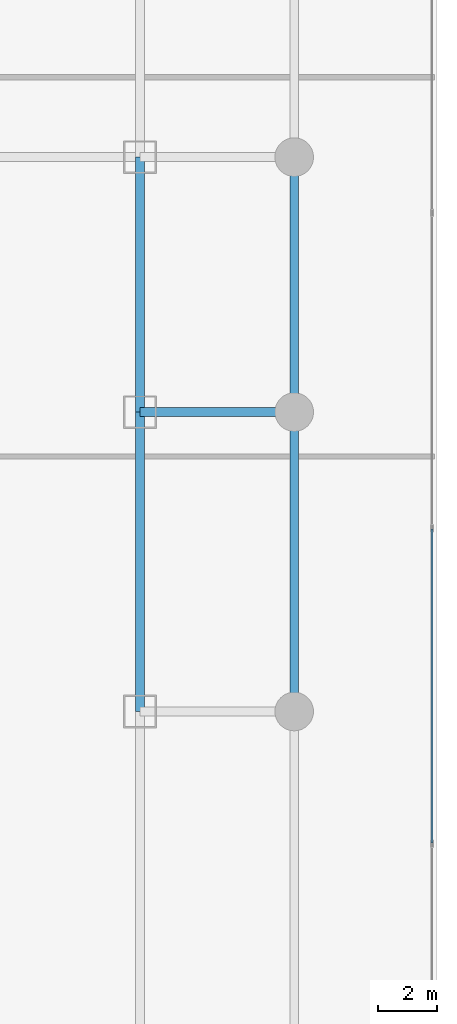
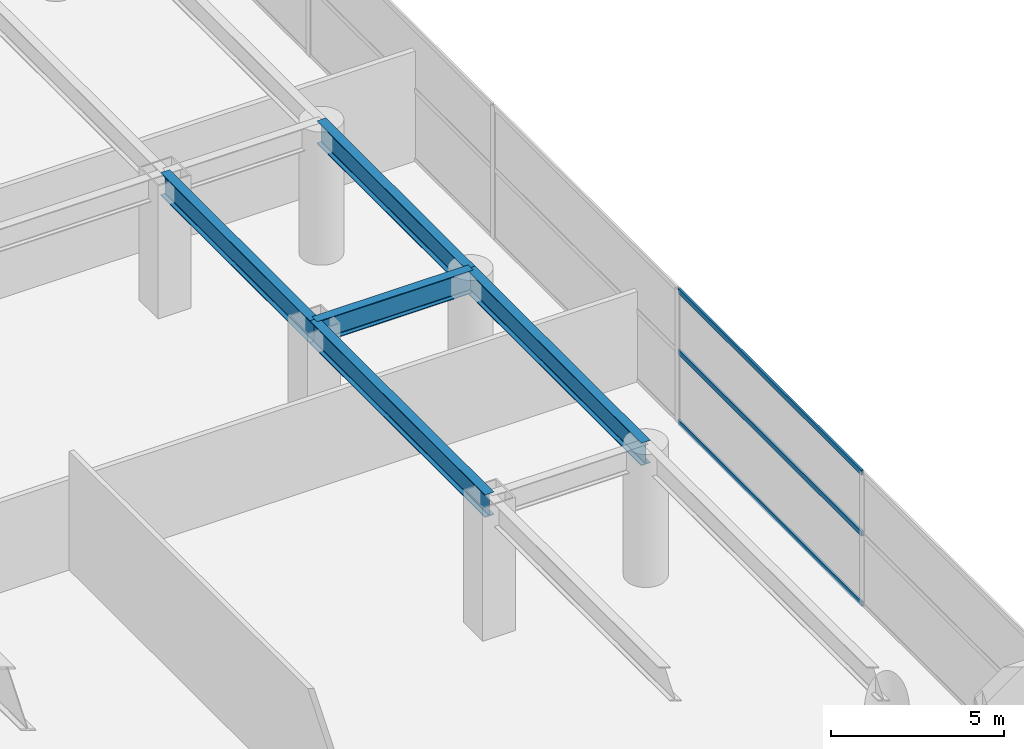
# One storey, part 23 of 35: 5 beams, 3 members, 1 element without a shape of its own.
"""IFC4 building model written with IfcOpenShell, lengths in metres."""

from ifc_helpers import new_model, si_unit, direction, frame, origin, origin_2d, place, context, subcontext, project, spatial, hollow_rectangle, i_section, extrude, material, layer, layer_set, material_profile, profile_set, type_object, element, aggregate, save


model = new_model("IFC4")

# Units and contexts
model_context = context("Model", 3, precision=1e-05, world=origin(), true_north=direction((0.0, 1.0)))
body_context = subcontext(model_context, "Body", "Model", "MODEL_VIEW")
ifc_project = project(units=[si_unit("LENGTHUNIT", "METRE"), si_unit("AREAUNIT", "SQUARE_METRE"), si_unit("VOLUMEUNIT", "CUBIC_METRE"), si_unit("PLANEANGLEUNIT", "RADIAN"), si_unit("MASSUNIT", "GRAM", prefix="KILO")], contexts=[model_context])

# Site, building, storey
site_placement = place(None, origin())
site = spatial("IfcSite", under=ifc_project, at=site_placement, CompositionType="ELEMENT")
building_placement = place(site_placement, origin())
building = spatial("IfcBuilding", under=site, at=building_placement, Name="Calvorn Quay Hotel", CompositionType="ELEMENT")
storey_placement = place(building_placement, frame((0.0, 0.0, 12.0)))
storey = spatial("IfcBuildingStorey", under=building, at=storey_placement, Name="L02", CompositionType="ELEMENT", Elevation=12.0)

# Beams
ifc_material_1 = material(Name="Steel Q390GJC", Category="steel")
ifc_material_profile_1 = material_profile(ifc_material_1, i_section(OverallWidth=0.300048828125, OverallDepth=0.800048828125, WebThickness=0.013916015625, FlangeThickness=0.02587890625, FilletRadius=0.02392578125, at=origin_2d()), Name="HN800x300x14x26")
ifc_profile_set_1 = profile_set([ifc_material_profile_1], Name="Steel Q390GJC")
beam_type = type_object("IfcBeamType", Name="BM-GIRD-POD", PredefinedType="BEAM", material=ifc_profile_set_1)
beam_1_placement = place(storey_placement, frame((74.0, 17.5, 4.280029296875), z_axis=(0.0, 1.0, 0.0), x_axis=(-1.0, 0.0, 0.0)))
element("IfcBeam", 1, at=beam_1_placement, inside=storey, type_object=beam_type, Name="Beam BG-L02-PE2", PredefinedType="BEAM", context=body_context, shape_type="SweptSolid", body=[
    extrude(i_section(OverallWidth=0.300048828125, OverallDepth=0.800048828125, WebThickness=0.013916015625, FlangeThickness=0.02587890625, FilletRadius=0.02392578125, at=origin_2d()), origin(), (0.0, 0.0, 1.0), 10.10009765625),
])
beam_2_placement = place(storey_placement, frame((74.0, 27.60009765625, 4.280029296875), z_axis=(0.0, 1.0, 0.0), x_axis=(-1.0, 0.0, 0.0)))
element("IfcBeam", 2, at=beam_2_placement, inside=storey, type_object=beam_type, Name="Beam BG-L02-PE3", PredefinedType="BEAM", context=body_context, shape_type="SweptSolid", body=[
    extrude(i_section(OverallWidth=0.300048828125, OverallDepth=0.800048828125, WebThickness=0.013916015625, FlangeThickness=0.02587890625, FilletRadius=0.02392578125, at=origin_2d()), origin(), (0.0, 0.0, 1.0), 8.599853515625),
])
beam_3_placement = place(storey_placement, frame((79.199951171875, 17.5, 4.280029296875), z_axis=(0.0, 1.0, 0.0), x_axis=(-1.0, 0.0, 0.0)))
element("IfcBeam", 3, at=beam_3_placement, inside=storey, type_object=beam_type, Name="Beam BSP-L02-Q2", PredefinedType="BEAM", context=body_context, shape_type="SweptSolid", body=[
    extrude(i_section(OverallWidth=0.300048828125, OverallDepth=0.800048828125, WebThickness=0.013916015625, FlangeThickness=0.02587890625, FilletRadius=0.02392578125, at=origin_2d()), origin(), (0.0, 0.0, 1.0), 10.10009765625),
])
beam_4_placement = place(storey_placement, frame((79.199951171875, 27.60009765625, 4.280029296875), z_axis=(0.0, 1.0, 0.0), x_axis=(-1.0, 0.0, 0.0)))
element("IfcBeam", 4, at=beam_4_placement, inside=storey, type_object=beam_type, Name="Beam BSP-L02-Q3", PredefinedType="BEAM", context=body_context, shape_type="SweptSolid", body=[
    extrude(i_section(OverallWidth=0.300048828125, OverallDepth=0.800048828125, WebThickness=0.013916015625, FlangeThickness=0.02587890625, FilletRadius=0.02392578125, at=origin_2d()), origin(), (0.0, 0.0, 1.0), 8.599853515625),
])
beam_5_placement = place(storey_placement, frame((74.0, 27.60009765625, 4.280029296875), z_axis=(1.0, 0.0, 0.0), x_axis=(0.0, 1.0, 0.0)))
element("IfcBeam", 5, at=beam_5_placement, inside=storey, type_object=beam_type, Name="Beam BG-L02-EQ3", PredefinedType="BEAM", context=body_context, shape_type="SweptSolid", body=[
    extrude(i_section(OverallWidth=0.300048828125, OverallDepth=0.800048828125, WebThickness=0.013916015625, FlangeThickness=0.02587890625, FilletRadius=0.02392578125, at=origin_2d()), origin(), (0.0, 0.0, 1.0), 5.199951171875),
])

# Curtain wall, members
ifc_material_2 = material(Name="Pale Anodised Aluminium and Low-E Glass", Category="aluminium")
ifc_layer = layer(ifc_material_2, 0.219970703125)
ifc_layer_set = layer_set([ifc_layer], Name="CW-SYS-POD")
curtain_wall_type = type_object("IfcCurtainWallType", Name="CW-SYS-POD", PredefinedType="NOTDEFINED", material=ifc_layer_set)
curtain_wall_placement = place(storey_placement, origin())
curtain_wall = element("IfcCurtainWall", 6, at=curtain_wall_placement, inside=storey, type_object=curtain_wall_type, Name="Podium Curtain Wall L02-E1", PredefinedType="NOTDEFINED")
ifc_material_3 = material(Name="Pale Anodised Aluminium 6063-T6", Category="aluminium")
ifc_material_profile_2 = material_profile(ifc_material_3, hollow_rectangle(XDim=0.070068359375, YDim=0.179931640625, WallThickness=0.00390625, at=origin_2d()), Name="ALU-T180x70x4")
ifc_profile_set_2 = profile_set([ifc_material_profile_2], Name="Pale Anodised Aluminium 6063-T6")
member_type = type_object("IfcMemberType", Name="CW-SYS-POD-TRN", PredefinedType="USERDEFINED", material=ifc_profile_set_2)
member_1_placement = place(storey_placement, frame((83.85009765625, 13.070068359375, 0.030029296875), z_axis=(0.0, 1.0, 0.0), x_axis=(-1.0, 0.0, 0.0)))
member_1 = element("IfcMember", 7, at=member_1_placement, type_object=member_type, Name="CW-L02-E1 transom 2.1", ObjectType="TRANSOM", PredefinedType="USERDEFINED", context=body_context, shape_type="SweptSolid", body=[
    extrude(hollow_rectangle(XDim=0.070068359375, YDim=0.179931640625, WallThickness=0.00390625, at=origin_2d()), origin(), (0.0, 0.0, 1.0), 10.579833984375),
])
member_2_placement = place(storey_placement, frame((83.85009765625, 13.070068359375, 2.5), z_axis=(0.0, 1.0, 0.0), x_axis=(-1.0, 0.0, 0.0)))
member_2 = element("IfcMember", 8, at=member_2_placement, type_object=member_type, Name="CW-L02-E1 transom 2.2", ObjectType="TRANSOM", PredefinedType="USERDEFINED", context=body_context, shape_type="SweptSolid", body=[
    extrude(hollow_rectangle(XDim=0.070068359375, YDim=0.179931640625, WallThickness=0.00390625, at=origin_2d()), origin(), (0.0, 0.0, 1.0), 10.579833984375),
])
member_3_placement = place(storey_placement, frame((83.85009765625, 13.070068359375, 4.64990234375), z_axis=(0.0, 1.0, 0.0), x_axis=(-1.0, 0.0, 0.0)))
member_3 = element("IfcMember", 9, at=member_3_placement, type_object=member_type, Name="CW-L02-E1 transom 2.3", ObjectType="TRANSOM", PredefinedType="USERDEFINED", context=body_context, shape_type="SweptSolid", body=[
    extrude(hollow_rectangle(XDim=0.070068359375, YDim=0.179931640625, WallThickness=0.00390625, at=origin_2d()), origin(), (0.0, 0.0, 1.0), 10.579833984375),
])
aggregate(curtain_wall, [member_1, member_2, member_3])

save(model, "model.ifc")
